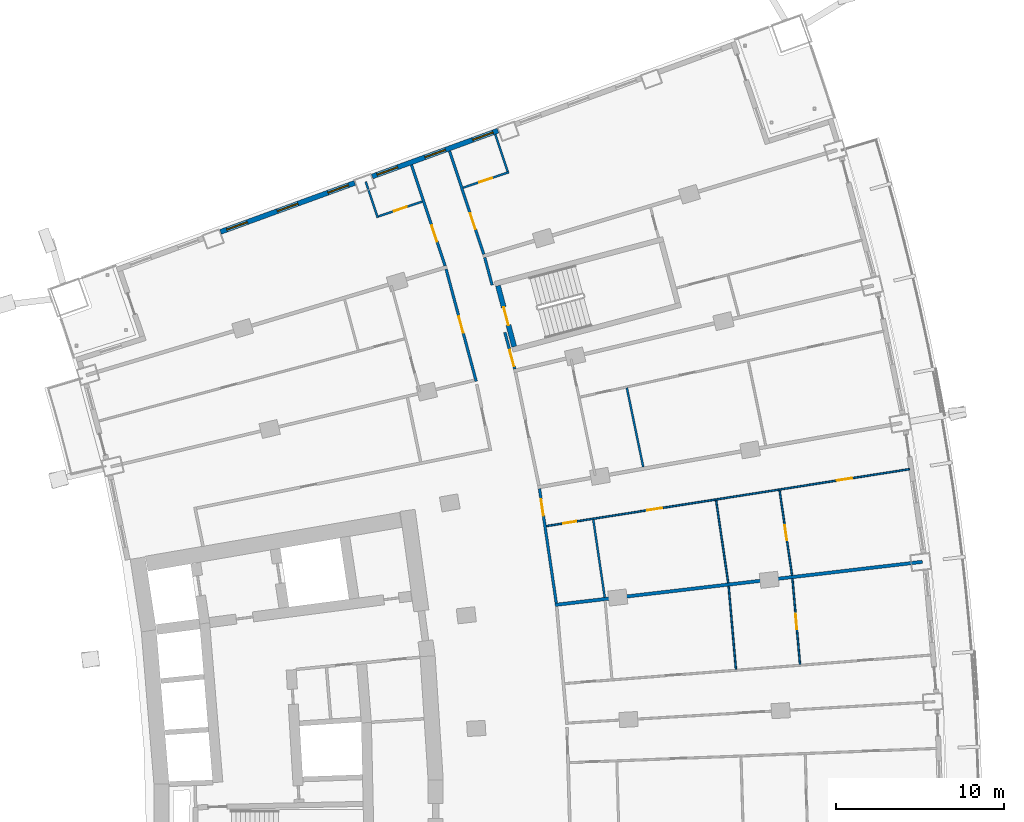
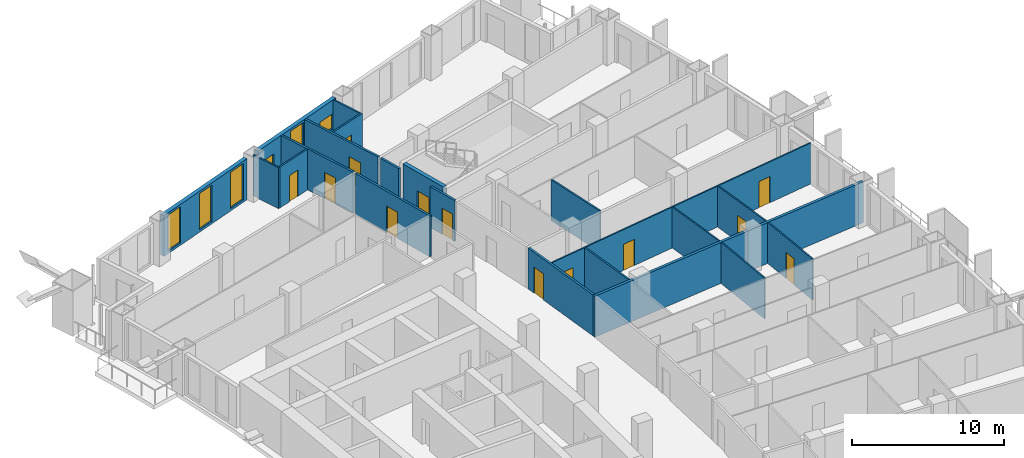
# One storey, part 17 of 22: 21 walls, 13 doors, 6 windows, 19 openings.
"""IFC4 building model written with IfcOpenShell, lengths in metres."""

from ifc_helpers import new_model, si_unit, direction, frame, frame_2d, origin, place, context, subcontext, project, spatial, rectangle, extrude, material, layer, layer_set, type_object, element, fill, save


model = new_model("IFC4")

# Units and contexts
model_context = context("Model", 3, precision=1e-05, world=origin(), true_north=direction((0.0, 1.0)))
body_context = subcontext(model_context, "Body", "Model", "MODEL_VIEW")
ifc_project = project(units=[si_unit("LENGTHUNIT", "METRE"), si_unit("AREAUNIT", "SQUARE_METRE"), si_unit("VOLUMEUNIT", "CUBIC_METRE"), si_unit("PLANEANGLEUNIT", "RADIAN"), si_unit("MASSUNIT", "GRAM", prefix="KILO")], contexts=[model_context])

# Site, building, storey
site_placement = place(None, origin())
site = spatial("IfcSite", under=ifc_project, at=site_placement, CompositionType="ELEMENT")
building_placement = place(site_placement, origin())
building = spatial("IfcBuilding", under=site, at=building_placement, Name="Alderwake Tower", CompositionType="ELEMENT")
storey_placement = place(building_placement, frame((0.0, 0.0, 50.0)))
storey = spatial("IfcBuildingStorey", under=building, at=storey_placement, Name="L11", CompositionType="ELEMENT", Elevation=50.0)

# Wall, opening, door
ifc_material_1 = material(Name="Concrete C70/85", Category="concrete")
ifc_layer_1 = layer(ifc_material_1, 0.300048828125)
ifc_layer_set_1 = layer_set([ifc_layer_1], Name="Core wall stair enclosure 300 C70-85")
wall_type_1 = type_object("IfcWallType", Name="Core wall stair enclosure 300 C70-85", PredefinedType="SHEAR", material=ifc_layer_set_1)
wall_1_placement = place(storey_placement, frame((37.8603515625, 90.452392578125, 0.0), z_axis=(0.0, 0.0, 1.0), x_axis=(-0.257411420208, 0.966301899381, 0.0)))
wall_1 = element("IfcWall", 1, at=wall_1_placement, inside=storey, type_object=wall_type_1, Name="Core wall CW.083", PredefinedType="SHEAR", context=body_context, shape_type="SweptSolid", body=[
    extrude(rectangle(XDim=3.750244140625, YDim=0.300048828125, at=frame_2d((1.875, 0.0))), origin(), (0.0, 0.0, 1.0), 3.60009765625),
])
opening_1_placement = place(wall_1_placement, frame((1.324951171875, 0.0, 0.0)))
opening_1 = element("IfcOpeningElement", 2, at=opening_1_placement, cuts=wall_1, Name="Opening C062", PredefinedType="OPENING", context=body_context, shape_type="SweptSolid", body=[
    extrude(rectangle(XDim=1.10009765625, YDim=2.10009765625, at=frame_2d((0.550048828125, 1.050048828125))), frame((0.0, 0.159912109375, 0.0), z_axis=(0.0, -1.0, 0.0), x_axis=(1.0, 0.0, 0.0)), (0.0, 0.0, 1.0), 0.320068359375),
])
ifc_material_2 = material(Name="Steel-framed fire door leaf", Category="steel")
door_type_1 = type_object("IfcDoorType", Name="Core stair door 1100 fire-rated", OperationType="SINGLE_SWING_LEFT", PredefinedType="DOOR", material=ifc_material_2)
door_1_placement = place(opening_1_placement, origin())
door_1 = element("IfcDoor", 3, at=door_1_placement, inside=storey, type_object=door_type_1, Name="Stair door", OperationType="SINGLE_SWING_RIGHT", OverallHeight=2.10009765625, OverallWidth=1.10009765625, PredefinedType="DOOR", context=body_context, shape_type="SweptSolid", body=[
    extrude(rectangle(XDim=1.10009765625, YDim=2.10009765625, at=frame_2d((0.550048828125, 1.050048828125))), frame((0.0, 0.02490234375, 0.0), z_axis=(0.0, -1.0, 0.0), x_axis=(1.0, 0.0, 0.0)), (0.0, 0.0, 1.0), 0.050048828125),
])
fill(opening_1, door_1)

ifc_material_3 = material(Name="Gypsum board on metal studs, rated")
ifc_layer_2 = layer(ifc_material_3, 0.159912109375)
ifc_layer_set_2 = layer_set([ifc_layer_2], Name="Corridor wall 160")
wall_type_2 = type_object("IfcWallType", Name="Corridor wall 160", PredefinedType="PARTITIONING", material=ifc_layer_set_2)
wall_2_placement = place(storey_placement, frame((33.75146484375, 95.2548828125, 0.0), z_axis=(0.0, 0.0, 1.0), x_axis=(-0.315406156735, 0.948956772616, 0.0)))
wall_2 = element("IfcWall", 4, at=wall_2_placement, inside=storey, type_object=wall_type_2, Name="WL/L11/W18", PredefinedType="PARTITIONING", context=body_context, shape_type="SweptSolid", body=[
    extrude(rectangle(XDim=6.330078125, YDim=0.159912109375, at=frame_2d((3.1650390625, 0.0))), origin(), (0.0, 0.0, 1.0), 3.280029296875),
])
opening_2_placement = place(wall_2_placement, frame((1.529052734375, 0.0, 0.0)))
opening_2 = element("IfcOpeningElement", 5, at=opening_2_placement, cuts=wall_2, Name="Opening R02-U14.1", PredefinedType="OPENING", context=body_context, shape_type="SweptSolid", body=[
    extrude(rectangle(XDim=1.0, YDim=2.10009765625, at=frame_2d((0.5, 1.050048828125))), frame((0.0, 0.08984375, 0.0), z_axis=(0.0, -1.0, 0.0), x_axis=(1.0, 0.0, 0.0)), (0.0, 0.0, 1.0), 0.179931640625),
])
ifc_material_4 = material(Name="Solid timber leaf in steel frame", Category="steel")
door_type_2 = type_object("IfcDoorType", Name="Flat entrance door 1000 fire-rated", OperationType="SINGLE_SWING_LEFT", PredefinedType="DOOR", material=ifc_material_4)
door_2_placement = place(opening_2_placement, origin())
door_2 = element("IfcDoor", 6, at=door_2_placement, inside=storey, type_object=door_type_2, Name="DR/L11/U14.1", OperationType="SINGLE_SWING_LEFT", OverallHeight=2.10009765625, OverallWidth=1.0, PredefinedType="DOOR", context=body_context, shape_type="SweptSolid", body=[
    extrude(rectangle(XDim=1.0, YDim=2.10009765625, at=frame_2d((0.5, 1.050048828125))), frame((0.0, 0.02490234375, 0.0), z_axis=(0.0, -1.0, 0.0), x_axis=(1.0, 0.0, 0.0)), (0.0, 0.0, 1.0), 0.050048828125),
])
fill(opening_2, door_2)

wall_3_placement = place(storey_placement, frame((35.600830078125, 88.392578125, 0.0), z_axis=(0.0, 0.0, 1.0), x_axis=(-0.2593979597, 0.965770520622, 0.0)))
wall_3 = element("IfcWall", 7, at=wall_3_placement, inside=storey, type_object=wall_type_2, Name="WL/L11/W21", PredefinedType="PARTITIONING", context=body_context, shape_type="SweptSolid", body=[
    extrude(rectangle(XDim=6.9072265625, YDim=0.159912109375, at=frame_2d((3.45361328125, 0.0))), origin(), (0.0, 0.0, 1.0), 3.280029296875),
])
opening_3_placement = place(wall_3_placement, frame((2.9931640625, 0.0, 0.0)))
opening_3 = element("IfcOpeningElement", 8, at=opening_3_placement, cuts=wall_3, Name="Opening R02-U13.1", PredefinedType="OPENING", context=body_context, shape_type="SweptSolid", body=[
    extrude(rectangle(XDim=1.0, YDim=2.10009765625, at=frame_2d((0.5, 1.050048828125))), frame((0.0, 0.08984375, 0.0), z_axis=(0.0, -1.0, 0.0), x_axis=(1.0, 0.0, 0.0)), (0.0, 0.0, 1.0), 0.179931640625),
])
door_3_placement = place(opening_3_placement, origin())
door_3 = element("IfcDoor", 9, at=door_3_placement, inside=storey, type_object=door_type_2, Name="DR/L11/U13.1", OperationType="SINGLE_SWING_LEFT", OverallHeight=2.10009765625, OverallWidth=1.0, PredefinedType="DOOR", context=body_context, shape_type="SweptSolid", body=[
    extrude(rectangle(XDim=1.0, YDim=2.10009765625, at=frame_2d((0.5, 1.050048828125))), frame((0.0, 0.02490234375, 0.0), z_axis=(0.0, -1.0, 0.0), x_axis=(1.0, 0.0, 0.0)), (0.0, 0.0, 1.0), 0.050048828125),
])
fill(opening_3, door_3)

wall_4_placement = place(storey_placement, frame((34.010986328125, 102.083984375, 0.0), z_axis=(0.0, 0.0, 1.0), x_axis=(0.315140606423, -0.949044992708, 0.0)))
wall_4 = element("IfcWall", 10, at=wall_4_placement, inside=storey, type_object=wall_type_2, Name="WL/L11/W26", PredefinedType="PARTITIONING", context=body_context, shape_type="SweptSolid", body=[
    extrude(rectangle(XDim=6.46875, YDim=0.159912109375, at=frame_2d((3.234375, 0.0))), origin(), (0.0, 0.0, 1.0), 3.280029296875),
])
opening_4_placement = place(wall_4_placement, frame((3.897705078125, 0.0, 0.0)))
opening_4 = element("IfcOpeningElement", 11, at=opening_4_placement, cuts=wall_4, Name="Opening R02-U04.1", PredefinedType="OPENING", context=body_context, shape_type="SweptSolid", body=[
    extrude(rectangle(XDim=1.0, YDim=2.10009765625, at=frame_2d((0.5, 1.050048828125))), frame((0.0, 0.08984375, 0.0), z_axis=(0.0, -1.0, 0.0), x_axis=(1.0, 0.0, 0.0)), (0.0, 0.0, 1.0), 0.179931640625),
])
door_4_placement = place(opening_4_placement, origin())
door_4 = element("IfcDoor", 12, at=door_4_placement, inside=storey, type_object=door_type_2, Name="DR/L11/U04.1", OperationType="SINGLE_SWING_LEFT", OverallHeight=2.10009765625, OverallWidth=1.0, PredefinedType="DOOR", context=body_context, shape_type="SweptSolid", body=[
    extrude(rectangle(XDim=1.0, YDim=2.10009765625, at=frame_2d((0.5, 1.050048828125))), frame((0.0, 0.02490234375, 0.0), z_axis=(0.0, -1.0, 0.0), x_axis=(1.0, 0.0, 0.0)), (0.0, 0.0, 1.0), 0.050048828125),
])
fill(opening_4, door_4)

# Wall
wall_5_placement = place(storey_placement, frame((36.549072265625, 94.110107421875, 0.0), z_axis=(0.0, 0.0, 1.0), x_axis=(-0.259813977097, 0.965658685719, 0.0)))
element("IfcWall", 13, at=wall_5_placement, inside=storey, type_object=wall_type_2, Name="WL/L11/W29", PredefinedType="PARTITIONING", context=body_context, shape_type="SweptSolid", body=[
    extrude(rectangle(XDim=1.70166015625, YDim=0.159912109375, at=frame_2d((0.850830078125, 0.0))), origin(), (0.0, 0.0, 1.0), 3.280029296875),
])

# Wall, opening, door
wall_6_placement = place(storey_placement, frame((37.304931640625, 91.299072265625, 0.0), z_axis=(0.0, 0.0, 1.0), x_axis=(0.259946294884, -0.965623075416, 0.0)))
wall_6 = element("IfcWall", 14, at=wall_6_placement, inside=storey, type_object=wall_type_2, Name="WL/L11/W32", PredefinedType="PARTITIONING", context=body_context, shape_type="SweptSolid", body=[
    extrude(rectangle(XDim=2.255126953125, YDim=0.159912109375, at=frame_2d((1.12744140625, 0.0))), origin(), (0.0, 0.0, 1.0), 3.280029296875),
])
opening_5_placement = place(wall_6_placement, frame((1.083984375, 0.0, 0.0)))
opening_5 = element("IfcOpeningElement", 15, at=opening_5_placement, cuts=wall_6, Name="Opening R02-U02.1", PredefinedType="OPENING", context=body_context, shape_type="SweptSolid", body=[
    extrude(rectangle(XDim=1.0, YDim=2.10009765625, at=frame_2d((0.5, 1.050048828125))), frame((0.0, 0.08984375, 0.0), z_axis=(0.0, -1.0, 0.0), x_axis=(1.0, 0.0, 0.0)), (0.0, 0.0, 1.0), 0.179931640625),
])
door_5_placement = place(opening_5_placement, origin())
door_5 = element("IfcDoor", 16, at=door_5_placement, inside=storey, type_object=door_type_2, Name="DR/L11/U02.1", OperationType="SINGLE_SWING_LEFT", OverallHeight=2.10009765625, OverallWidth=1.0, PredefinedType="DOOR", context=body_context, shape_type="SweptSolid", body=[
    extrude(rectangle(XDim=1.0, YDim=2.10009765625, at=frame_2d((0.5, 1.050048828125))), frame((0.0, 0.02490234375, 0.0), z_axis=(0.0, -1.0, 0.0), x_axis=(1.0, 0.0, 0.0)), (0.0, 0.0, 1.0), 0.050048828125),
])
fill(opening_5, door_5)

wall_7_placement = place(storey_placement, frame((39.362548828125, 82.001953125, 0.0), z_axis=(0.0, 0.0, 1.0), x_axis=(0.145565626222, -0.98934859805, 0.0)))
wall_7 = element("IfcWall", 17, at=wall_7_placement, inside=storey, type_object=wall_type_2, Name="WL/L11/W35", PredefinedType="PARTITIONING", context=body_context, shape_type="SweptSolid", body=[
    extrude(rectangle(XDim=6.8681640625, YDim=0.159912109375, at=frame_2d((3.43408203125, 0.0))), origin(), (0.0, 0.0, 1.0), 3.280029296875),
])
opening_6_placement = place(wall_7_placement, frame((0.627685546875, 0.0, 0.0)))
opening_6 = element("IfcOpeningElement", 18, at=opening_6_placement, cuts=wall_7, Name="Opening R02-U09.3", PredefinedType="OPENING", context=body_context, shape_type="SweptSolid", body=[
    extrude(rectangle(XDim=1.0, YDim=2.10009765625, at=frame_2d((0.5, 1.050048828125))), frame((0.0, 0.08984375, 0.0), z_axis=(0.0, -1.0, 0.0), x_axis=(1.0, 0.0, 0.0)), (0.0, 0.0, 1.0), 0.179931640625),
])
door_6_placement = place(opening_6_placement, origin())
door_6 = element("IfcDoor", 19, at=door_6_placement, inside=storey, type_object=door_type_2, Name="DR/L11/U09.3", OperationType="SINGLE_SWING_LEFT", OverallHeight=2.10009765625, OverallWidth=1.0, PredefinedType="DOOR", context=body_context, shape_type="SweptSolid", body=[
    extrude(rectangle(XDim=1.0, YDim=2.10009765625, at=frame_2d((0.5, 1.050048828125))), frame((0.0, 0.02490234375, 0.0), z_axis=(0.0, -1.0, 0.0), x_axis=(1.0, 0.0, 0.0)), (0.0, 0.0, 1.0), 0.050048828125),
])
fill(opening_6, door_6)

# Wall, openings, windows
ifc_material_5 = material(Name="Bronze metal cladding on lightweight framing")
ifc_layer_3 = layer(ifc_material_5, 0.300048828125)
ifc_layer_set_3 = layer_set([ifc_layer_3], Name="External wall EW2 bronze metal cladding")
wall_type_3 = type_object("IfcWallType", Name="External wall EW2 bronze metal cladding", PredefinedType="SOLIDWALL", material=ifc_layer_set_3)
wall_8_placement = place(storey_placement, frame((36.896484375, 103.2978515625, 0.0), z_axis=(0.0, 0.0, 1.0), x_axis=(-0.93937644601, -0.342887580237, 0.0)))
wall_8 = element("IfcWall", 20, at=wall_8_placement, inside=storey, type_object=wall_type_3, Name="External wall 27", PredefinedType="SOLIDWALL", context=body_context, shape_type="SweptSolid", body=[
    extrude(rectangle(XDim=7.96240234375, YDim=0.300048828125, at=frame_2d((3.981201171875, 0.0))), origin(), (0.0, 0.0, 1.0), 3.280029296875),
])
opening_7_placement = place(wall_8_placement, frame((0.30908203125, 0.0, 1.0)))
opening_7 = element("IfcOpeningElement", 21, at=opening_7_placement, cuts=wall_8, Name="Opening W2", PredefinedType="OPENING", context=body_context, shape_type="SweptSolid", body=[
    extrude(rectangle(XDim=1.300048828125, YDim=1.199951171875, at=frame_2d((0.64990234375, 0.60009765625))), frame((0.0, 0.159912109375, 0.0), z_axis=(0.0, -1.0, 0.0), x_axis=(1.0, 0.0, 0.0)), (0.0, 0.0, 1.0), 0.320068359375),
])
opening_8_placement = place(wall_8_placement, frame((3.331298828125, 0.0, 0.199951171875)))
opening_8 = element("IfcOpeningElement", 22, at=opening_8_placement, cuts=wall_8, Name="Opening W1", PredefinedType="OPENING", context=body_context, shape_type="SweptSolid", body=[
    extrude(rectangle(XDim=1.300048828125, YDim=2.89990234375, at=frame_2d((0.64990234375, 1.449951171875))), frame((0.0, 0.159912109375, 0.0), z_axis=(0.0, -1.0, 0.0), x_axis=(1.0, 0.0, 0.0)), (0.0, 0.0, 1.0), 0.320068359375),
])
opening_9_placement = place(wall_8_placement, frame((6.353515625, 0.0, 1.0)))
opening_9 = element("IfcOpeningElement", 23, at=opening_9_placement, cuts=wall_8, Name="Opening W2", PredefinedType="OPENING", context=body_context, shape_type="SweptSolid", body=[
    extrude(rectangle(XDim=1.300048828125, YDim=1.199951171875, at=frame_2d((0.64990234375, 0.60009765625))), frame((0.0, 0.159912109375, 0.0), z_axis=(0.0, -1.0, 0.0), x_axis=(1.0, 0.0, 0.0)), (0.0, 0.0, 1.0), 0.320068359375),
])
ifc_material_6 = material(Name="Bronze tinted glass in aluminium frame", Category="aluminium")
window_type_1 = type_object("IfcWindowType", Name="Window W1 tall fixed and vent", PartitioningType="DOUBLE_PANEL_VERTICAL", PredefinedType="WINDOW", material=ifc_material_6)
window_1_placement = place(opening_8_placement, origin())
window_1 = element("IfcWindow", 24, at=window_1_placement, inside=storey, type_object=window_type_1, Name="Window W1 tall fixed and vent", OverallHeight=2.89990234375, OverallWidth=1.300048828125, PartitioningType="DOUBLE_PANEL_VERTICAL", PredefinedType="WINDOW", context=body_context, shape_type="SweptSolid", body=[
    extrude(rectangle(XDim=1.300048828125, YDim=2.89990234375, at=frame_2d((0.64990234375, 1.449951171875))), frame((0.0, 0.030029296875, 0.0), z_axis=(0.0, -1.0, 0.0), x_axis=(1.0, 0.0, 0.0)), (0.0, 0.0, 1.0), 0.06005859375),
])
fill(opening_8, window_1)
ifc_material_7 = material(Name="Bronze tinted glass in aluminium frame", Category="aluminium")
window_type_2 = type_object("IfcWindowType", Name="Window W2 kitchen and bath", PartitioningType="SINGLE_PANEL", PredefinedType="WINDOW", material=ifc_material_7)
window_2_placement = place(opening_7_placement, origin())
window_2 = element("IfcWindow", 25, at=window_2_placement, inside=storey, type_object=window_type_2, Name="Window W2 kitchen and bath", OverallHeight=1.199951171875, OverallWidth=1.300048828125, PartitioningType="SINGLE_PANEL", PredefinedType="WINDOW", context=body_context, shape_type="SweptSolid", body=[
    extrude(rectangle(XDim=1.300048828125, YDim=1.199951171875, at=frame_2d((0.64990234375, 0.60009765625))), frame((0.0, 0.030029296875, 0.0), z_axis=(0.0, -1.0, 0.0), x_axis=(1.0, 0.0, 0.0)), (0.0, 0.0, 1.0), 0.06005859375),
])
fill(opening_7, window_2)
window_3_placement = place(opening_9_placement, origin())
window_3 = element("IfcWindow", 26, at=window_3_placement, inside=storey, type_object=window_type_2, Name="Window W2 kitchen and bath", OverallHeight=1.199951171875, OverallWidth=1.300048828125, PartitioningType="SINGLE_PANEL", PredefinedType="WINDOW", context=body_context, shape_type="SweptSolid", body=[
    extrude(rectangle(XDim=1.300048828125, YDim=1.199951171875, at=frame_2d((0.64990234375, 0.60009765625))), frame((0.0, 0.030029296875, 0.0), z_axis=(0.0, -1.0, 0.0), x_axis=(1.0, 0.0, 0.0)), (0.0, 0.0, 1.0), 0.06005859375),
])
fill(opening_9, window_3)

wall_9_placement = place(storey_placement, frame((28.37890625, 100.18896484375, 0.0), z_axis=(0.0, 0.0, 1.0), x_axis=(-0.939369809957, -0.342905759856, 0.0)))
wall_9 = element("IfcWall", 27, at=wall_9_placement, inside=storey, type_object=wall_type_3, Name="External wall 28", PredefinedType="SOLIDWALL", context=body_context, shape_type="SweptSolid", body=[
    extrude(rectangle(XDim=8.495361328125, YDim=0.300048828125, at=frame_2d((4.24755859375, 0.0))), origin(), (0.0, 0.0, 1.0), 3.280029296875),
])
opening_10_placement = place(wall_9_placement, frame((0.397705078125, 0.0, 0.199951171875)))
opening_10 = element("IfcOpeningElement", 28, at=opening_10_placement, cuts=wall_9, Name="Opening W1", PredefinedType="OPENING", context=body_context, shape_type="SweptSolid", body=[
    extrude(rectangle(XDim=1.300048828125, YDim=2.89990234375, at=frame_2d((0.64990234375, 1.449951171875))), frame((0.0, 0.159912109375, 0.0), z_axis=(0.0, -1.0, 0.0), x_axis=(1.0, 0.0, 0.0)), (0.0, 0.0, 1.0), 0.320068359375),
])
opening_11_placement = place(wall_9_placement, frame((3.59765625, 0.0, 0.199951171875)))
opening_11 = element("IfcOpeningElement", 29, at=opening_11_placement, cuts=wall_9, Name="Opening W1", PredefinedType="OPENING", context=body_context, shape_type="SweptSolid", body=[
    extrude(rectangle(XDim=1.300048828125, YDim=2.89990234375, at=frame_2d((0.64990234375, 1.449951171875))), frame((0.0, 0.159912109375, 0.0), z_axis=(0.0, -1.0, 0.0), x_axis=(1.0, 0.0, 0.0)), (0.0, 0.0, 1.0), 0.320068359375),
])
opening_12_placement = place(wall_9_placement, frame((6.7978515625, 0.0, 0.199951171875)))
opening_12 = element("IfcOpeningElement", 30, at=opening_12_placement, cuts=wall_9, Name="Opening W1", PredefinedType="OPENING", context=body_context, shape_type="SweptSolid", body=[
    extrude(rectangle(XDim=1.300048828125, YDim=2.89990234375, at=frame_2d((0.64990234375, 1.449951171875))), frame((0.0, 0.159912109375, 0.0), z_axis=(0.0, -1.0, 0.0), x_axis=(1.0, 0.0, 0.0)), (0.0, 0.0, 1.0), 0.320068359375),
])
window_4_placement = place(opening_10_placement, origin())
window_4 = element("IfcWindow", 31, at=window_4_placement, inside=storey, type_object=window_type_1, Name="Window W1 tall fixed and vent", OverallHeight=2.89990234375, OverallWidth=1.300048828125, PartitioningType="DOUBLE_PANEL_VERTICAL", PredefinedType="WINDOW", context=body_context, shape_type="SweptSolid", body=[
    extrude(rectangle(XDim=1.300048828125, YDim=2.89990234375, at=frame_2d((0.64990234375, 1.449951171875))), frame((0.0, 0.030029296875, 0.0), z_axis=(0.0, -1.0, 0.0), x_axis=(1.0, 0.0, 0.0)), (0.0, 0.0, 1.0), 0.06005859375),
])
fill(opening_10, window_4)
window_5_placement = place(opening_11_placement, origin())
window_5 = element("IfcWindow", 32, at=window_5_placement, inside=storey, type_object=window_type_1, Name="Window W1 tall fixed and vent", OverallHeight=2.89990234375, OverallWidth=1.300048828125, PartitioningType="DOUBLE_PANEL_VERTICAL", PredefinedType="WINDOW", context=body_context, shape_type="SweptSolid", body=[
    extrude(rectangle(XDim=1.300048828125, YDim=2.89990234375, at=frame_2d((0.64990234375, 1.449951171875))), frame((0.0, 0.030029296875, 0.0), z_axis=(0.0, -1.0, 0.0), x_axis=(1.0, 0.0, 0.0)), (0.0, 0.0, 1.0), 0.06005859375),
])
fill(opening_11, window_5)
window_6_placement = place(opening_12_placement, origin())
window_6 = element("IfcWindow", 33, at=window_6_placement, inside=storey, type_object=window_type_1, Name="Window W1 tall fixed and vent", OverallHeight=2.89990234375, OverallWidth=1.300048828125, PartitioningType="DOUBLE_PANEL_VERTICAL", PredefinedType="WINDOW", context=body_context, shape_type="SweptSolid", body=[
    extrude(rectangle(XDim=1.300048828125, YDim=2.89990234375, at=frame_2d((0.64990234375, 1.449951171875))), frame((0.0, 0.030029296875, 0.0), z_axis=(0.0, -1.0, 0.0), x_axis=(1.0, 0.0, 0.0)), (0.0, 0.0, 1.0), 0.06005859375),
])
fill(opening_12, window_6)

# Wall
ifc_material_8 = material(Name="Dense block masonry wall", Category="masonry")
ifc_layer_4 = layer(ifc_material_8, 0.199951171875)
ifc_layer_set_4 = layer_set([ifc_layer_4], Name="Party wall 200")
wall_type_4 = type_object("IfcWallType", Name="Party wall 200", PredefinedType="SOLIDWALL", material=ifc_layer_set_4)
wall_10_placement = place(storey_placement, frame((40.297607421875, 75.0986328125, 0.0), z_axis=(0.0, 0.0, 1.0), x_axis=(0.993197155968, 0.116444876987, 0.0)))
element("IfcWall", 34, at=wall_10_placement, inside=storey, type_object=wall_type_4, Name="WL/L11/W06", PredefinedType="SOLIDWALL", context=body_context, shape_type="SweptSolid", body=[
    extrude(rectangle(XDim=21.978759765625, YDim=0.199951171875, at=frame_2d((10.9892578125, 0.0))), origin(), (0.0, 0.0, 1.0), 3.280029296875),
])

# Wall, openings, doors
ifc_material_9 = material(Name="Gypsum board on metal studs")
ifc_layer_5 = layer(ifc_material_9, 0.10009765625)
ifc_layer_set_5 = layer_set([ifc_layer_5], Name="Unit partition 100")
wall_type_5 = type_object("IfcWallType", Name="Unit partition 100", PredefinedType="PARTITIONING", material=ifc_layer_set_5)
wall_11_placement = place(storey_placement, frame((61.367919921875, 83.1689453125, 0.0), z_axis=(0.0, 0.0, 1.0), x_axis=(-0.987930619591, -0.154897033134, 0.0)))
wall_11 = element("IfcWall", 35, at=wall_11_placement, inside=storey, type_object=wall_type_5, Name="WL/L11/W67", PredefinedType="PARTITIONING", context=body_context, shape_type="SweptSolid", body=[
    extrude(rectangle(XDim=21.86279296875, YDim=0.10009765625, at=frame_2d((10.931396484375, 0.0))), origin(), (0.0, 0.0, 1.0), 3.280029296875),
])
opening_13_placement = place(wall_11_placement, frame((14.89697265625, 0.0, 0.0)))
opening_13 = element("IfcOpeningElement", 36, at=opening_13_placement, cuts=wall_11, Name="Opening R02-U09.1", PredefinedType="OPENING", context=body_context, shape_type="SweptSolid", body=[
    extrude(rectangle(XDim=0.89990234375, YDim=2.10009765625, at=frame_2d((0.449951171875, 1.050048828125))), frame((0.0, 0.06005859375, 0.0), z_axis=(0.0, -1.0, 0.0), x_axis=(1.0, 0.0, 0.0)), (0.0, 0.0, 1.0), 0.1201171875),
])
opening_14_placement = place(wall_11_placement, frame((20.052734375, 0.0, 0.0)))
opening_14 = element("IfcOpeningElement", 37, at=opening_14_placement, cuts=wall_11, Name="Opening R02-U09.4", PredefinedType="OPENING", context=body_context, shape_type="SweptSolid", body=[
    extrude(rectangle(XDim=0.800048828125, YDim=2.10009765625, at=frame_2d((0.39990234375, 1.050048828125))), frame((0.0, 0.06005859375, 0.0), z_axis=(0.0, -1.0, 0.0), x_axis=(1.0, 0.0, 0.0)), (0.0, 0.0, 1.0), 0.1201171875),
])
opening_15_placement = place(wall_11_placement, frame((3.465087890625, 0.0, 0.0)))
opening_15 = element("IfcOpeningElement", 38, at=opening_15_placement, cuts=wall_11, Name="Opening R02-U09.5", PredefinedType="OPENING", context=body_context, shape_type="SweptSolid", body=[
    extrude(rectangle(XDim=0.89990234375, YDim=2.10009765625, at=frame_2d((0.449951171875, 1.050048828125))), frame((0.0, 0.06005859375, 0.0), z_axis=(0.0, -1.0, 0.0), x_axis=(1.0, 0.0, 0.0)), (0.0, 0.0, 1.0), 0.1201171875),
])
ifc_material_10 = material(Name="Painted timber leaf", Category="wood")
door_type_3 = type_object("IfcDoorType", Name="Bathroom door 800", OperationType="SINGLE_SWING_LEFT", PredefinedType="DOOR", material=ifc_material_10)
door_7_placement = place(opening_14_placement, origin())
door_7 = element("IfcDoor", 39, at=door_7_placement, inside=storey, type_object=door_type_3, Name="DR/L11/U09.4", OperationType="SINGLE_SWING_LEFT", OverallHeight=2.10009765625, OverallWidth=0.800048828125, PredefinedType="DOOR", context=body_context, shape_type="SweptSolid", body=[
    extrude(rectangle(XDim=0.800048828125, YDim=2.10009765625, at=frame_2d((0.39990234375, 1.050048828125))), frame((0.0, 0.02490234375, 0.0), z_axis=(0.0, -1.0, 0.0), x_axis=(1.0, 0.0, 0.0)), (0.0, 0.0, 1.0), 0.050048828125),
])
fill(opening_14, door_7)
ifc_material_11 = material(Name="Painted timber leaf", Category="wood")
door_type_4 = type_object("IfcDoorType", Name="Room door 900", OperationType="SINGLE_SWING_LEFT", PredefinedType="DOOR", material=ifc_material_11)
door_8_placement = place(opening_13_placement, origin())
door_8 = element("IfcDoor", 40, at=door_8_placement, inside=storey, type_object=door_type_4, Name="DR/L11/U09.1", OperationType="SINGLE_SWING_LEFT", OverallHeight=2.10009765625, OverallWidth=0.89990234375, PredefinedType="DOOR", context=body_context, shape_type="SweptSolid", body=[
    extrude(rectangle(XDim=0.89990234375, YDim=2.10009765625, at=frame_2d((0.449951171875, 1.050048828125))), frame((0.0, 0.02490234375, 0.0), z_axis=(0.0, -1.0, 0.0), x_axis=(1.0, 0.0, 0.0)), (0.0, 0.0, 1.0), 0.050048828125),
])
fill(opening_13, door_8)
door_9_placement = place(opening_15_placement, origin())
door_9 = element("IfcDoor", 41, at=door_9_placement, inside=storey, type_object=door_type_4, Name="DR/L11/U09.5", OperationType="SINGLE_SWING_LEFT", OverallHeight=2.10009765625, OverallWidth=0.89990234375, PredefinedType="DOOR", context=body_context, shape_type="SweptSolid", body=[
    extrude(rectangle(XDim=0.89990234375, YDim=2.10009765625, at=frame_2d((0.449951171875, 1.050048828125))), frame((0.0, 0.02490234375, 0.0), z_axis=(0.0, -1.0, 0.0), x_axis=(1.0, 0.0, 0.0)), (0.0, 0.0, 1.0), 0.050048828125),
])
fill(opening_15, door_9)

# Walls
wall_12_placement = place(storey_placement, frame((50.58642578125, 76.404052734375, 0.0), z_axis=(0.0, 0.0, 1.0), x_axis=(-0.145447275975, 0.98936600402, 0.0)))
element("IfcWall", 42, at=wall_12_placement, inside=storey, type_object=wall_type_5, Name="WL/L11/W79", PredefinedType="PARTITIONING", context=body_context, shape_type="SweptSolid", body=[
    extrude(rectangle(XDim=4.965087890625, YDim=0.10009765625, at=frame_2d((2.482421875, 0.0))), origin(), (0.0, 0.0, 1.0), 3.280029296875),
])
wall_13_placement = place(storey_placement, frame((51.043701171875, 71.263916015625, 0.0), z_axis=(0.0, 0.0, 1.0), x_axis=(-0.087460009474, 0.99616803138, 0.0)))
element("IfcWall", 43, at=wall_13_placement, inside=storey, type_object=wall_type_5, Name="WL/L11/W81", PredefinedType="PARTITIONING", context=body_context, shape_type="SweptSolid", body=[
    extrude(rectangle(XDim=4.96044921875, YDim=0.10009765625, at=frame_2d((2.480224609375, 0.0))), origin(), (0.0, 0.0, 1.0), 3.280029296875),
])

# Wall, opening, door
wall_14_placement = place(storey_placement, frame((54.381591796875, 76.85107421875, 0.0), z_axis=(0.0, 0.0, 1.0), x_axis=(-0.14545960896, 0.989364190863, 0.0)))
wall_14 = element("IfcWall", 44, at=wall_14_placement, inside=storey, type_object=wall_type_5, Name="WL/L11/W88", PredefinedType="PARTITIONING", context=body_context, shape_type="SweptSolid", body=[
    extrude(rectangle(XDim=5.11083984375, YDim=0.10009765625, at=frame_2d((2.555419921875, 0.0))), origin(), (0.0, 0.0, 1.0), 3.280029296875),
])
opening_16_placement = place(wall_14_placement, frame((2.10546875, 0.0, 0.0)))
opening_16 = element("IfcOpeningElement", 45, at=opening_16_placement, cuts=wall_14, Name="Opening R02-U09.2", PredefinedType="OPENING", context=body_context, shape_type="SweptSolid", body=[
    extrude(rectangle(XDim=0.89990234375, YDim=2.10009765625, at=frame_2d((0.449951171875, 1.050048828125))), frame((0.0, 0.06005859375, 0.0), z_axis=(0.0, -1.0, 0.0), x_axis=(1.0, 0.0, 0.0)), (0.0, 0.0, 1.0), 0.1201171875),
])
door_10_placement = place(opening_16_placement, origin())
door_10 = element("IfcDoor", 46, at=door_10_placement, inside=storey, type_object=door_type_4, Name="DR/L11/U09.2", OperationType="SINGLE_SWING_LEFT", OverallHeight=2.10009765625, OverallWidth=0.89990234375, PredefinedType="DOOR", context=body_context, shape_type="SweptSolid", body=[
    extrude(rectangle(XDim=0.89990234375, YDim=2.10009765625, at=frame_2d((0.449951171875, 1.050048828125))), frame((0.0, 0.02490234375, 0.0), z_axis=(0.0, -1.0, 0.0), x_axis=(1.0, 0.0, 0.0)), (0.0, 0.0, 1.0), 0.050048828125),
])
fill(opening_16, door_10)

wall_15_placement = place(storey_placement, frame((54.853515625, 71.560791015625, 0.0), z_axis=(0.0, 0.0, 1.0), x_axis=(-0.087792047863, 0.996138823825, 0.0)))
wall_15 = element("IfcWall", 47, at=wall_15_placement, inside=storey, type_object=wall_type_5, Name="WL/L11/W90", PredefinedType="PARTITIONING", context=body_context, shape_type="SweptSolid", body=[
    extrude(rectangle(XDim=5.111328125, YDim=0.10009765625, at=frame_2d((2.5556640625, 0.0))), origin(), (0.0, 0.0, 1.0), 3.280029296875),
])
opening_17_placement = place(wall_15_placement, frame((2.105712890625, 0.0, 0.0)))
opening_17 = element("IfcOpeningElement", 48, at=opening_17_placement, cuts=wall_15, Name="Opening R02-U08.9", PredefinedType="OPENING", context=body_context, shape_type="SweptSolid", body=[
    extrude(rectangle(XDim=0.89990234375, YDim=2.10009765625, at=frame_2d((0.449951171875, 1.050048828125))), frame((0.0, 0.06005859375, 0.0), z_axis=(0.0, -1.0, 0.0), x_axis=(1.0, 0.0, 0.0)), (0.0, 0.0, 1.0), 0.1201171875),
])
door_11_placement = place(opening_17_placement, origin())
door_11 = element("IfcDoor", 49, at=door_11_placement, inside=storey, type_object=door_type_4, Name="DR/L11/U08.9", OperationType="SINGLE_SWING_LEFT", OverallHeight=2.10009765625, OverallWidth=0.89990234375, PredefinedType="DOOR", context=body_context, shape_type="SweptSolid", body=[
    extrude(rectangle(XDim=0.89990234375, YDim=2.10009765625, at=frame_2d((0.449951171875, 1.050048828125))), frame((0.0, 0.02490234375, 0.0), z_axis=(0.0, -1.0, 0.0), x_axis=(1.0, 0.0, 0.0)), (0.0, 0.0, 1.0), 0.050048828125),
])
fill(opening_17, door_11)

# Wall
ifc_material_12 = material(Name="Moisture resistant gypsum board on metal studs")
ifc_layer_6 = layer(ifc_material_12, 0.1201171875)
ifc_layer_set_6 = layer_set([ifc_layer_6], Name="Wet room partition 120")
wall_type_6 = type_object("IfcWallType", Name="Wet room partition 120", PredefinedType="PARTITIONING", material=ifc_layer_set_6)
wall_16_placement = place(storey_placement, frame((29.031005859375, 100.26611328125, 0.0), z_axis=(0.0, 0.0, 1.0), x_axis=(0.315774774353, -0.948834175123, 0.0)))
element("IfcWall", 50, at=wall_16_placement, inside=storey, type_object=wall_type_6, Name="WL/L11/W41", PredefinedType="PARTITIONING", context=body_context, shape_type="SweptSolid", body=[
    extrude(rectangle(XDim=2.263671875, YDim=0.1201171875, at=frame_2d((1.1318359375, 0.0))), origin(), (0.0, 0.0, 1.0), 3.280029296875),
])

# Wall, opening, door
wall_17_placement = place(storey_placement, frame((29.78369140625, 98.1943359375, 0.0), z_axis=(0.0, 0.0, 1.0), x_axis=(0.947131995712, 0.320844171989, 0.0)))
wall_17 = element("IfcWall", 51, at=wall_17_placement, inside=storey, type_object=wall_type_6, Name="WL/L11/W43", PredefinedType="PARTITIONING", context=body_context, shape_type="SweptSolid", body=[
    extrude(rectangle(XDim=2.75830078125, YDim=0.1201171875, at=frame_2d((1.379150390625, 0.0))), origin(), (0.0, 0.0, 1.0), 3.280029296875),
])
opening_18_placement = place(wall_17_placement, frame((0.97900390625, 0.0, 0.0)))
opening_18 = element("IfcOpeningElement", 52, at=opening_18_placement, cuts=wall_17, Name="Opening R02-U14.2", PredefinedType="OPENING", context=body_context, shape_type="SweptSolid", body=[
    extrude(rectangle(XDim=0.800048828125, YDim=2.10009765625, at=frame_2d((0.39990234375, 1.050048828125))), frame((0.0, 0.070068359375, 0.0), z_axis=(0.0, -1.0, 0.0), x_axis=(1.0, 0.0, 0.0)), (0.0, 0.0, 1.0), 0.14013671875),
])
door_12_placement = place(opening_18_placement, origin())
door_12 = element("IfcDoor", 53, at=door_12_placement, inside=storey, type_object=door_type_3, Name="DR/L11/U14.2", OperationType="SINGLE_SWING_LEFT", OverallHeight=2.10009765625, OverallWidth=0.800048828125, PredefinedType="DOOR", context=body_context, shape_type="SweptSolid", body=[
    extrude(rectangle(XDim=0.800048828125, YDim=2.10009765625, at=frame_2d((0.39990234375, 1.050048828125))), frame((0.0, 0.02490234375, 0.0), z_axis=(0.0, -1.0, 0.0), x_axis=(1.0, 0.0, 0.0)), (0.0, 0.0, 1.0), 0.050048828125),
])
fill(opening_18, door_12)

wall_18_placement = place(storey_placement, frame((34.81884765625, 99.901611328125, 0.0), z_axis=(0.0, 0.0, 1.0), x_axis=(0.947119631015, 0.32088067026, 0.0)))
wall_18 = element("IfcWall", 54, at=wall_18_placement, inside=storey, type_object=wall_type_6, Name="WL/L11/W47", PredefinedType="PARTITIONING", context=body_context, shape_type="SweptSolid", body=[
    extrude(rectangle(XDim=2.878173828125, YDim=0.1201171875, at=frame_2d((1.43896484375, 0.0))), origin(), (0.0, 0.0, 1.0), 3.280029296875),
])
opening_19_placement = place(wall_18_placement, frame((1.009765625, 0.0, 0.0)))
opening_19 = element("IfcOpeningElement", 55, at=opening_19_placement, cuts=wall_18, Name="Opening R02-U04.2", PredefinedType="OPENING", context=body_context, shape_type="SweptSolid", body=[
    extrude(rectangle(XDim=0.800048828125, YDim=2.10009765625, at=frame_2d((0.39990234375, 1.050048828125))), frame((0.0, 0.070068359375, 0.0), z_axis=(0.0, -1.0, 0.0), x_axis=(1.0, 0.0, 0.0)), (0.0, 0.0, 1.0), 0.14013671875),
])
door_13_placement = place(opening_19_placement, origin())
door_13 = element("IfcDoor", 56, at=door_13_placement, inside=storey, type_object=door_type_3, Name="DR/L11/U04.2", OperationType="SINGLE_SWING_LEFT", OverallHeight=2.10009765625, OverallWidth=0.800048828125, PredefinedType="DOOR", context=body_context, shape_type="SweptSolid", body=[
    extrude(rectangle(XDim=0.800048828125, YDim=2.10009765625, at=frame_2d((0.39990234375, 1.050048828125))), frame((0.0, 0.02490234375, 0.0), z_axis=(0.0, -1.0, 0.0), x_axis=(1.0, 0.0, 0.0)), (0.0, 0.0, 1.0), 0.050048828125),
])
fill(opening_19, door_13)

# Walls
wall_19_placement = place(storey_placement, frame((37.468994140625, 100.863037109375, 0.0), z_axis=(0.0, 0.0, 1.0), x_axis=(-0.314251248963, 0.94933985091, 0.0)))
element("IfcWall", 57, at=wall_19_placement, inside=storey, type_object=wall_type_6, Name="WL/L11/W50", PredefinedType="PARTITIONING", context=body_context, shape_type="SweptSolid", body=[
    extrude(rectangle(XDim=2.33544921875, YDim=0.1201171875, at=frame_2d((1.167724609375, 0.0))), origin(), (0.0, 0.0, 1.0), 3.280029296875),
])
wall_20_placement = place(storey_placement, frame((43.242431640625, 75.5458984375, 0.0), z_axis=(0.0, 0.0, 1.0), x_axis=(-0.145515042, 0.989356039326, 0.0)))
element("IfcWall", 58, at=wall_20_placement, inside=storey, type_object=wall_type_6, Name="WL/L11/W54", PredefinedType="PARTITIONING", context=body_context, shape_type="SweptSolid", body=[
    extrude(rectangle(XDim=4.67431640625, YDim=0.1201171875, at=frame_2d((2.337158203125, 0.0))), origin(), (0.0, 0.0, 1.0), 3.280029296875),
])
wall_21_placement = place(storey_placement, frame((45.53173828125, 83.297119140625, 0.0), z_axis=(0.0, 0.0, 1.0), x_axis=(-0.202763480801, 0.979227742077, 0.0)))
element("IfcWall", 59, at=wall_21_placement, inside=storey, type_object=wall_type_6, Name="WL/L11/W60", PredefinedType="PARTITIONING", context=body_context, shape_type="SweptSolid", body=[
    extrude(rectangle(XDim=4.806640625, YDim=0.1201171875, at=frame_2d((2.4033203125, 0.0))), origin(), (0.0, 0.0, 1.0), 3.280029296875),
])

save(model, "model.ifc")
